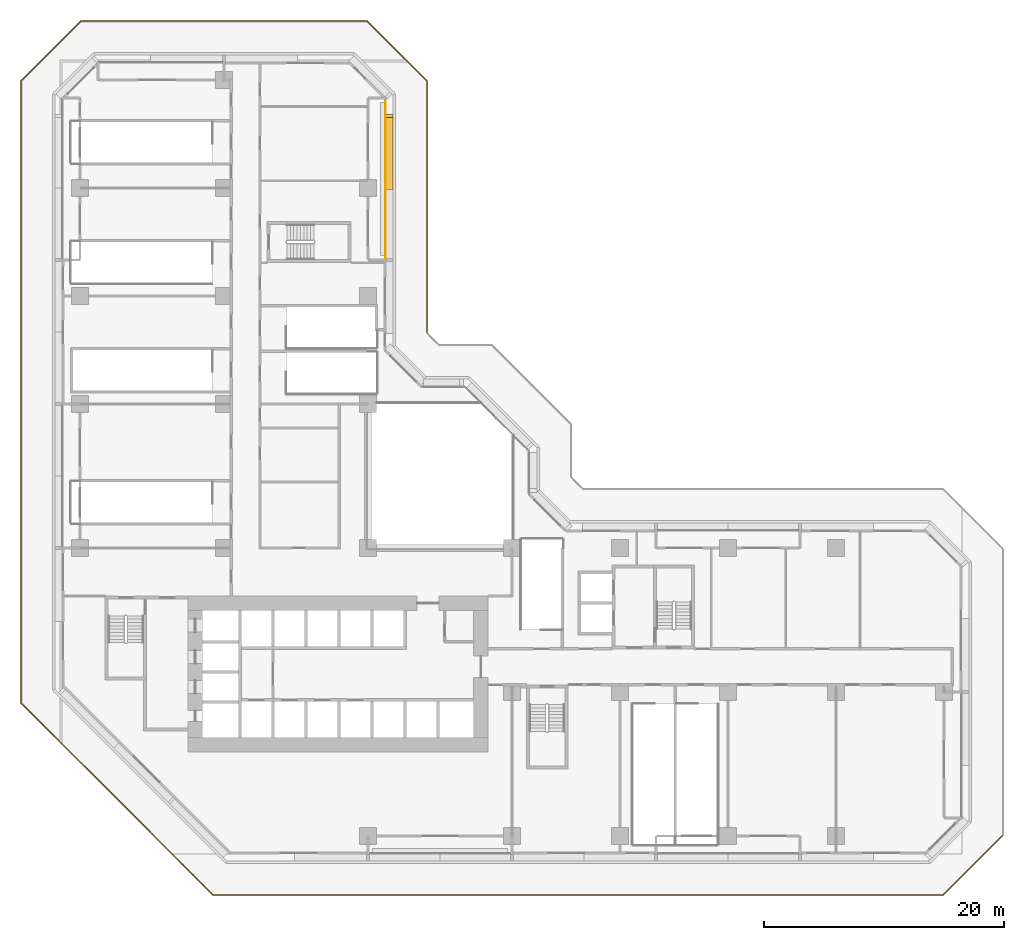
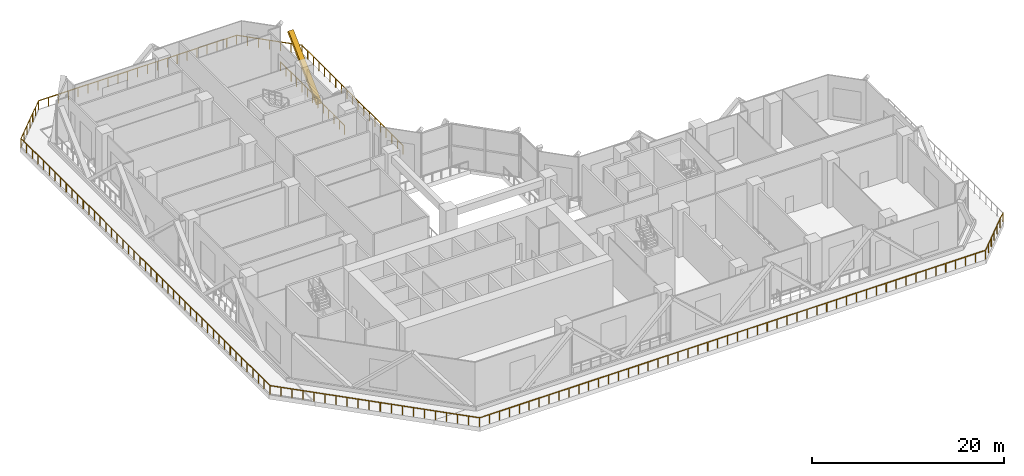
# One storey, part 15 of 16: 2 railings, 1 covering.
"""IFC4 building model written with IfcOpenShell, lengths in metres."""

from ifc_helpers import new_model, si_unit, direction, frame, origin, origin_2d, place, context, subcontext, project, spatial, rectangle, extrude, material, material_profile, profile_set, type_object, element, save


model = new_model("IFC4")

# Units and contexts
model_context = context("Model", 3, precision=1e-05, world=origin(), true_north=direction((0.0, 1.0)))
body_context = subcontext(model_context, "Body", "Model", "MODEL_VIEW")
ifc_project = project(units=[si_unit("LENGTHUNIT", "METRE"), si_unit("AREAUNIT", "SQUARE_METRE"), si_unit("VOLUMEUNIT", "CUBIC_METRE"), si_unit("PLANEANGLEUNIT", "RADIAN"), si_unit("MASSUNIT", "GRAM", prefix="KILO")], contexts=[model_context])

# Site, building, storey
site_placement = place(None, origin())
site = spatial("IfcSite", under=ifc_project, at=site_placement, CompositionType="ELEMENT")
building_placement = place(site_placement, origin())
building = spatial("IfcBuilding", under=site, at=building_placement, Name="Chenar Terraces", CompositionType="ELEMENT")
storey_placement = place(building_placement, frame((0.0, 0.0, 35.39990234375)))
storey = spatial("IfcBuildingStorey", under=building, at=storey_placement, Name="L06", CompositionType="ELEMENT", Elevation=35.39990234375)

# Railings
ifc_material_1 = material(Name="Stainless steel and glass", Category="steel")
railing_type_1 = type_object("IfcRailingType", Name="Loggia guard 1150", PredefinedType="GUARDRAIL", material=ifc_material_1)
railing_1_placement = place(storey_placement, frame((25.449951171875, 48.074951171875, 0.0)))
element("IfcRailing", 1, at=railing_1_placement, inside=storey, type_object=railing_type_1, Name="Loggia guard", PredefinedType="GUARDRAIL", context=body_context, shape_type="SweptSolid", body=[
    extrude(rectangle(XDim=0.048095703125, YDim=0.048095703125, at=origin_2d()), frame((0.0, 0.0, 1.1259765625), z_axis=(0.0, 1.0, 0.0), x_axis=(-1.0, 0.0, 0.0)), (0.0, 0.0, 1.0), 13.35009765625),
    extrude(rectangle(XDim=0.0419921875, YDim=0.0419921875, at=origin_2d()), origin(), (0.0, 0.0, 1.0), 1.101806640625),
    extrude(rectangle(XDim=0.0419921875, YDim=0.0419921875, at=origin_2d()), frame((0.0, 1.112548828125, 0.0)), (0.0, 0.0, 1.0), 1.101806640625),
    extrude(rectangle(XDim=0.0419921875, YDim=0.0419921875, at=origin_2d()), frame((0.0, 2.22509765625, 0.0)), (0.0, 0.0, 1.0), 1.101806640625),
    extrude(rectangle(XDim=0.0419921875, YDim=0.0419921875, at=origin_2d()), frame((0.0, 3.33740234375, 0.0)), (0.0, 0.0, 1.0), 1.101806640625),
    extrude(rectangle(XDim=0.0419921875, YDim=0.0419921875, at=origin_2d()), frame((0.0, 4.449951171875, 0.0)), (0.0, 0.0, 1.0), 1.101806640625),
    extrude(rectangle(XDim=0.0419921875, YDim=0.0419921875, at=origin_2d()), frame((0.0, 5.5625, 0.0)), (0.0, 0.0, 1.0), 1.101806640625),
    extrude(rectangle(XDim=0.0419921875, YDim=0.0419921875, at=origin_2d()), frame((0.0, 6.675048828125, 0.0)), (0.0, 0.0, 1.0), 1.101806640625),
    extrude(rectangle(XDim=0.0419921875, YDim=0.0419921875, at=origin_2d()), frame((0.0, 7.78759765625, 0.0)), (0.0, 0.0, 1.0), 1.101806640625),
    extrude(rectangle(XDim=0.0419921875, YDim=0.0419921875, at=origin_2d()), frame((0.0, 8.900146484375, 0.0)), (0.0, 0.0, 1.0), 1.101806640625),
    extrude(rectangle(XDim=0.0419921875, YDim=0.0419921875, at=origin_2d()), frame((0.0, 10.0126953125, 0.0)), (0.0, 0.0, 1.0), 1.101806640625),
    extrude(rectangle(XDim=0.0419921875, YDim=0.0419921875, at=origin_2d()), frame((0.0, 11.125, 0.0)), (0.0, 0.0, 1.0), 1.101806640625),
    extrude(rectangle(XDim=0.0419921875, YDim=0.0419921875, at=origin_2d()), frame((0.0, 12.237548828125, 0.0)), (0.0, 0.0, 1.0), 1.101806640625),
    extrude(rectangle(XDim=0.0419921875, YDim=0.0419921875, at=origin_2d()), frame((0.0, 13.35009765625, 0.0)), (0.0, 0.0, 1.0), 1.101806640625),
])
ifc_material_2 = material(Name="Stainless steel and glass", Category="steel")
railing_type_2 = type_object("IfcRailingType", Name="Terrace guard 1150", PredefinedType="GUARDRAIL", material=ifc_material_2)
railing_2_placement = place(storey_placement, frame((76.89990234375, 0.091552734375, 0.0)))
element("IfcRailing", 2, at=railing_2_placement, inside=storey, type_object=railing_type_2, Name="Terrace guard", PredefinedType="GUARDRAIL", context=body_context, shape_type="SweptSolid", body=[
    extrude(rectangle(XDim=0.048095703125, YDim=0.048095703125, at=origin_2d()), frame((0.0, 0.0, 1.1259765625), z_axis=(-0.707106781187, -0.707106781187, 0.0), x_axis=(0.707106781187, -0.707106781187, 0.0)), (0.0, 0.0, 1.0), 7.05908203125),
    extrude(rectangle(XDim=0.048095703125, YDim=0.048095703125, at=origin_2d()), frame((-4.991455078125, -4.991455078125, 1.1259765625), z_axis=(-1.0, 0.0, 0.0), x_axis=(0.0, -1.0, 0.0)), (0.0, 0.0, 1.0), 60.81689453125),
    extrude(rectangle(XDim=0.048095703125, YDim=0.048095703125, at=origin_2d()), frame((-65.808349609375, -4.991455078125, 1.1259765625), z_axis=(-0.707106781187, 0.707106781187, 0.0), x_axis=(-0.707106781187, -0.707106781187, 0.0)), (0.0, 0.0, 1.0), 22.615234375),
    extrude(rectangle(XDim=0.048095703125, YDim=0.048095703125, at=origin_2d()), frame((-81.7998046875, 11.0, 1.1259765625), z_axis=(0.0, 1.0, 0.0), x_axis=(-1.0, 0.0, 0.0)), (0.0, 0.0, 1.0), 51.81689453125),
    extrude(rectangle(XDim=0.048095703125, YDim=0.048095703125, at=origin_2d()), frame((-81.7998046875, 62.81689453125, 1.1259765625), z_axis=(0.707106781187, 0.707106781187, 0.0), x_axis=(-0.707106781187, 0.707106781187, 0.0)), (0.0, 0.0, 1.0), 7.05908203125),
    extrude(rectangle(XDim=0.048095703125, YDim=0.048095703125, at=origin_2d()), frame((-76.808349609375, 67.808349609375, 1.1259765625), z_axis=(1.0, 0.0, 0.0), x_axis=(0.0, 1.0, 0.0)), (0.0, 0.0, 1.0), 23.81689453125),
    extrude(rectangle(XDim=0.048095703125, YDim=0.048095703125, at=origin_2d()), frame((-52.991455078125, 67.808349609375, 1.1259765625), z_axis=(0.707106781187, -0.707106781187, 0.0), x_axis=(0.707106781187, 0.707106781187, 0.0)), (0.0, 0.0, 1.0), 7.05908203125),
    extrude(rectangle(XDim=0.048095703125, YDim=0.048095703125, at=origin_2d()), frame((-48.0, 62.81689453125, 1.1259765625), z_axis=(0.0, -1.0, 0.0), x_axis=(1.0, 0.0, 0.0)), (0.0, 0.0, 1.0), 21.0),
    extrude(rectangle(XDim=0.0419921875, YDim=0.0419921875, at=origin_2d()), origin(), (0.0, 0.0, 1.0), 1.101806640625),
    extrude(rectangle(XDim=0.0419921875, YDim=0.0419921875, at=origin_2d()), frame((-0.83203125, -0.83203125, 0.0)), (0.0, 0.0, 1.0), 1.101806640625),
    extrude(rectangle(XDim=0.0419921875, YDim=0.0419921875, at=origin_2d()), frame((-1.663818359375, -1.663818359375, 0.0)), (0.0, 0.0, 1.0), 1.101806640625),
    extrude(rectangle(XDim=0.0419921875, YDim=0.0419921875, at=origin_2d()), frame((-2.49560546875, -2.49560546875, 0.0)), (0.0, 0.0, 1.0), 1.101806640625),
    extrude(rectangle(XDim=0.0419921875, YDim=0.0419921875, at=origin_2d()), frame((-3.32763671875, -3.32763671875, 0.0)), (0.0, 0.0, 1.0), 1.101806640625),
    extrude(rectangle(XDim=0.0419921875, YDim=0.0419921875, at=origin_2d()), frame((-4.15966796875, -4.15966796875, 0.0)), (0.0, 0.0, 1.0), 1.101806640625),
    extrude(rectangle(XDim=0.0419921875, YDim=0.0419921875, at=origin_2d()), frame((-4.991455078125, -4.991455078125, 0.0)), (0.0, 0.0, 1.0), 1.101806640625),
    extrude(rectangle(XDim=0.0419921875, YDim=0.0419921875, at=origin_2d()), frame((-6.183837890625, -4.991455078125, 0.0)), (0.0, 0.0, 1.0), 1.101806640625),
    extrude(rectangle(XDim=0.0419921875, YDim=0.0419921875, at=origin_2d()), frame((-7.37646484375, -4.991455078125, 0.0)), (0.0, 0.0, 1.0), 1.101806640625),
    extrude(rectangle(XDim=0.0419921875, YDim=0.0419921875, at=origin_2d()), frame((-8.56884765625, -4.991455078125, 0.0)), (0.0, 0.0, 1.0), 1.101806640625),
    extrude(rectangle(XDim=0.0419921875, YDim=0.0419921875, at=origin_2d()), frame((-9.761474609375, -4.991455078125, 0.0)), (0.0, 0.0, 1.0), 1.101806640625),
    extrude(rectangle(XDim=0.0419921875, YDim=0.0419921875, at=origin_2d()), frame((-10.953857421875, -4.991455078125, 0.0)), (0.0, 0.0, 1.0), 1.101806640625),
    extrude(rectangle(XDim=0.0419921875, YDim=0.0419921875, at=origin_2d()), frame((-12.146484375, -4.991455078125, 0.0)), (0.0, 0.0, 1.0), 1.101806640625),
    extrude(rectangle(XDim=0.0419921875, YDim=0.0419921875, at=origin_2d()), frame((-13.3388671875, -4.991455078125, 0.0)), (0.0, 0.0, 1.0), 1.101806640625),
    extrude(rectangle(XDim=0.0419921875, YDim=0.0419921875, at=origin_2d()), frame((-14.53125, -4.991455078125, 0.0)), (0.0, 0.0, 1.0), 1.101806640625),
    extrude(rectangle(XDim=0.0419921875, YDim=0.0419921875, at=origin_2d()), frame((-15.723876953125, -4.991455078125, 0.0)), (0.0, 0.0, 1.0), 1.101806640625),
    extrude(rectangle(XDim=0.0419921875, YDim=0.0419921875, at=origin_2d()), frame((-16.916259765625, -4.991455078125, 0.0)), (0.0, 0.0, 1.0), 1.101806640625),
    extrude(rectangle(XDim=0.0419921875, YDim=0.0419921875, at=origin_2d()), frame((-18.10888671875, -4.991455078125, 0.0)), (0.0, 0.0, 1.0), 1.101806640625),
    extrude(rectangle(XDim=0.0419921875, YDim=0.0419921875, at=origin_2d()), frame((-19.30126953125, -4.991455078125, 0.0)), (0.0, 0.0, 1.0), 1.101806640625),
    extrude(rectangle(XDim=0.0419921875, YDim=0.0419921875, at=origin_2d()), frame((-20.493896484375, -4.991455078125, 0.0)), (0.0, 0.0, 1.0), 1.101806640625),
    extrude(rectangle(XDim=0.0419921875, YDim=0.0419921875, at=origin_2d()), frame((-21.686279296875, -4.991455078125, 0.0)), (0.0, 0.0, 1.0), 1.101806640625),
    extrude(rectangle(XDim=0.0419921875, YDim=0.0419921875, at=origin_2d()), frame((-22.878662109375, -4.991455078125, 0.0)), (0.0, 0.0, 1.0), 1.101806640625),
    extrude(rectangle(XDim=0.0419921875, YDim=0.0419921875, at=origin_2d()), frame((-24.0712890625, -4.991455078125, 0.0)), (0.0, 0.0, 1.0), 1.101806640625),
    extrude(rectangle(XDim=0.0419921875, YDim=0.0419921875, at=origin_2d()), frame((-25.263671875, -4.991455078125, 0.0)), (0.0, 0.0, 1.0), 1.101806640625),
    extrude(rectangle(XDim=0.0419921875, YDim=0.0419921875, at=origin_2d()), frame((-26.456298828125, -4.991455078125, 0.0)), (0.0, 0.0, 1.0), 1.101806640625),
    extrude(rectangle(XDim=0.0419921875, YDim=0.0419921875, at=origin_2d()), frame((-27.648681640625, -4.991455078125, 0.0)), (0.0, 0.0, 1.0), 1.101806640625),
    extrude(rectangle(XDim=0.0419921875, YDim=0.0419921875, at=origin_2d()), frame((-28.84130859375, -4.991455078125, 0.0)), (0.0, 0.0, 1.0), 1.101806640625),
    extrude(rectangle(XDim=0.0419921875, YDim=0.0419921875, at=origin_2d()), frame((-30.03369140625, -4.991455078125, 0.0)), (0.0, 0.0, 1.0), 1.101806640625),
    extrude(rectangle(XDim=0.0419921875, YDim=0.0419921875, at=origin_2d()), frame((-31.22607421875, -4.991455078125, 0.0)), (0.0, 0.0, 1.0), 1.101806640625),
    extrude(rectangle(XDim=0.0419921875, YDim=0.0419921875, at=origin_2d()), frame((-32.418701171875, -4.991455078125, 0.0)), (0.0, 0.0, 1.0), 1.101806640625),
    extrude(rectangle(XDim=0.0419921875, YDim=0.0419921875, at=origin_2d()), frame((-33.611083984375, -4.991455078125, 0.0)), (0.0, 0.0, 1.0), 1.101806640625),
    extrude(rectangle(XDim=0.0419921875, YDim=0.0419921875, at=origin_2d()), frame((-34.8037109375, -4.991455078125, 0.0)), (0.0, 0.0, 1.0), 1.101806640625),
    extrude(rectangle(XDim=0.0419921875, YDim=0.0419921875, at=origin_2d()), frame((-35.99609375, -4.991455078125, 0.0)), (0.0, 0.0, 1.0), 1.101806640625),
    extrude(rectangle(XDim=0.0419921875, YDim=0.0419921875, at=origin_2d()), frame((-37.188720703125, -4.991455078125, 0.0)), (0.0, 0.0, 1.0), 1.101806640625),
    extrude(rectangle(XDim=0.0419921875, YDim=0.0419921875, at=origin_2d()), frame((-38.381103515625, -4.991455078125, 0.0)), (0.0, 0.0, 1.0), 1.101806640625),
    extrude(rectangle(XDim=0.0419921875, YDim=0.0419921875, at=origin_2d()), frame((-39.57373046875, -4.991455078125, 0.0)), (0.0, 0.0, 1.0), 1.101806640625),
    extrude(rectangle(XDim=0.0419921875, YDim=0.0419921875, at=origin_2d()), frame((-40.76611328125, -4.991455078125, 0.0)), (0.0, 0.0, 1.0), 1.101806640625),
    extrude(rectangle(XDim=0.0419921875, YDim=0.0419921875, at=origin_2d()), frame((-41.95849609375, -4.991455078125, 0.0)), (0.0, 0.0, 1.0), 1.101806640625),
    extrude(rectangle(XDim=0.0419921875, YDim=0.0419921875, at=origin_2d()), frame((-43.151123046875, -4.991455078125, 0.0)), (0.0, 0.0, 1.0), 1.101806640625),
    extrude(rectangle(XDim=0.0419921875, YDim=0.0419921875, at=origin_2d()), frame((-44.343505859375, -4.991455078125, 0.0)), (0.0, 0.0, 1.0), 1.101806640625),
    extrude(rectangle(XDim=0.0419921875, YDim=0.0419921875, at=origin_2d()), frame((-45.5361328125, -4.991455078125, 0.0)), (0.0, 0.0, 1.0), 1.101806640625),
    extrude(rectangle(XDim=0.0419921875, YDim=0.0419921875, at=origin_2d()), frame((-46.728515625, -4.991455078125, 0.0)), (0.0, 0.0, 1.0), 1.101806640625),
    extrude(rectangle(XDim=0.0419921875, YDim=0.0419921875, at=origin_2d()), frame((-47.921142578125, -4.991455078125, 0.0)), (0.0, 0.0, 1.0), 1.101806640625),
    extrude(rectangle(XDim=0.0419921875, YDim=0.0419921875, at=origin_2d()), frame((-49.113525390625, -4.991455078125, 0.0)), (0.0, 0.0, 1.0), 1.101806640625),
    extrude(rectangle(XDim=0.0419921875, YDim=0.0419921875, at=origin_2d()), frame((-50.305908203125, -4.991455078125, 0.0)), (0.0, 0.0, 1.0), 1.101806640625),
    extrude(rectangle(XDim=0.0419921875, YDim=0.0419921875, at=origin_2d()), frame((-51.49853515625, -4.991455078125, 0.0)), (0.0, 0.0, 1.0), 1.101806640625),
    extrude(rectangle(XDim=0.0419921875, YDim=0.0419921875, at=origin_2d()), frame((-52.69091796875, -4.991455078125, 0.0)), (0.0, 0.0, 1.0), 1.101806640625),
    extrude(rectangle(XDim=0.0419921875, YDim=0.0419921875, at=origin_2d()), frame((-53.883544921875, -4.991455078125, 0.0)), (0.0, 0.0, 1.0), 1.101806640625),
    extrude(rectangle(XDim=0.0419921875, YDim=0.0419921875, at=origin_2d()), frame((-55.075927734375, -4.991455078125, 0.0)), (0.0, 0.0, 1.0), 1.101806640625),
    extrude(rectangle(XDim=0.0419921875, YDim=0.0419921875, at=origin_2d()), frame((-56.2685546875, -4.991455078125, 0.0)), (0.0, 0.0, 1.0), 1.101806640625),
    extrude(rectangle(XDim=0.0419921875, YDim=0.0419921875, at=origin_2d()), frame((-57.4609375, -4.991455078125, 0.0)), (0.0, 0.0, 1.0), 1.101806640625),
    extrude(rectangle(XDim=0.0419921875, YDim=0.0419921875, at=origin_2d()), frame((-58.6533203125, -4.991455078125, 0.0)), (0.0, 0.0, 1.0), 1.101806640625),
    extrude(rectangle(XDim=0.0419921875, YDim=0.0419921875, at=origin_2d()), frame((-59.845947265625, -4.991455078125, 0.0)), (0.0, 0.0, 1.0), 1.101806640625),
    extrude(rectangle(XDim=0.0419921875, YDim=0.0419921875, at=origin_2d()), frame((-61.038330078125, -4.991455078125, 0.0)), (0.0, 0.0, 1.0), 1.101806640625),
    extrude(rectangle(XDim=0.0419921875, YDim=0.0419921875, at=origin_2d()), frame((-62.23095703125, -4.991455078125, 0.0)), (0.0, 0.0, 1.0), 1.101806640625),
    extrude(rectangle(XDim=0.0419921875, YDim=0.0419921875, at=origin_2d()), frame((-63.42333984375, -4.991455078125, 0.0)), (0.0, 0.0, 1.0), 1.101806640625),
    extrude(rectangle(XDim=0.0419921875, YDim=0.0419921875, at=origin_2d()), frame((-64.615966796875, -4.991455078125, 0.0)), (0.0, 0.0, 1.0), 1.101806640625),
    extrude(rectangle(XDim=0.0419921875, YDim=0.0419921875, at=origin_2d()), frame((-65.808349609375, -4.991455078125, 0.0)), (0.0, 0.0, 1.0), 1.101806640625),
    extrude(rectangle(XDim=0.0419921875, YDim=0.0419921875, at=origin_2d()), frame((-66.64990234375, -4.14990234375, 0.0)), (0.0, 0.0, 1.0), 1.101806640625),
    extrude(rectangle(XDim=0.0419921875, YDim=0.0419921875, at=origin_2d()), frame((-67.49169921875, -3.30810546875, 0.0)), (0.0, 0.0, 1.0), 1.101806640625),
    extrude(rectangle(XDim=0.0419921875, YDim=0.0419921875, at=origin_2d()), frame((-68.333251953125, -2.466552734375, 0.0)), (0.0, 0.0, 1.0), 1.101806640625),
    extrude(rectangle(XDim=0.0419921875, YDim=0.0419921875, at=origin_2d()), frame((-69.175048828125, -1.624755859375, 0.0)), (0.0, 0.0, 1.0), 1.101806640625),
    extrude(rectangle(XDim=0.0419921875, YDim=0.0419921875, at=origin_2d()), frame((-70.0166015625, -0.783203125, 0.0)), (0.0, 0.0, 1.0), 1.101806640625),
    extrude(rectangle(XDim=0.0419921875, YDim=0.0419921875, at=origin_2d()), frame((-70.8583984375, 0.05859375, 0.0)), (0.0, 0.0, 1.0), 1.101806640625),
    extrude(rectangle(XDim=0.0419921875, YDim=0.0419921875, at=origin_2d()), frame((-71.699951171875, 0.900146484375, 0.0)), (0.0, 0.0, 1.0), 1.101806640625),
    extrude(rectangle(XDim=0.0419921875, YDim=0.0419921875, at=origin_2d()), frame((-72.54150390625, 1.74169921875, 0.0)), (0.0, 0.0, 1.0), 1.101806640625),
    extrude(rectangle(XDim=0.0419921875, YDim=0.0419921875, at=origin_2d()), frame((-73.38330078125, 2.58349609375, 0.0)), (0.0, 0.0, 1.0), 1.101806640625),
    extrude(rectangle(XDim=0.0419921875, YDim=0.0419921875, at=origin_2d()), frame((-74.224853515625, 3.425048828125, 0.0)), (0.0, 0.0, 1.0), 1.101806640625),
    extrude(rectangle(XDim=0.0419921875, YDim=0.0419921875, at=origin_2d()), frame((-75.066650390625, 4.266845703125, 0.0)), (0.0, 0.0, 1.0), 1.101806640625),
    extrude(rectangle(XDim=0.0419921875, YDim=0.0419921875, at=origin_2d()), frame((-75.908203125, 5.1083984375, 0.0)), (0.0, 0.0, 1.0), 1.101806640625),
    extrude(rectangle(XDim=0.0419921875, YDim=0.0419921875, at=origin_2d()), frame((-76.749755859375, 5.949951171875, 0.0)), (0.0, 0.0, 1.0), 1.101806640625),
    extrude(rectangle(XDim=0.0419921875, YDim=0.0419921875, at=origin_2d()), frame((-77.591552734375, 6.791748046875, 0.0)), (0.0, 0.0, 1.0), 1.101806640625),
    extrude(rectangle(XDim=0.0419921875, YDim=0.0419921875, at=origin_2d()), frame((-78.43310546875, 7.63330078125, 0.0)), (0.0, 0.0, 1.0), 1.101806640625),
    extrude(rectangle(XDim=0.0419921875, YDim=0.0419921875, at=origin_2d()), frame((-79.27490234375, 8.47509765625, 0.0)), (0.0, 0.0, 1.0), 1.101806640625),
    extrude(rectangle(XDim=0.0419921875, YDim=0.0419921875, at=origin_2d()), frame((-80.116455078125, 9.316650390625, 0.0)), (0.0, 0.0, 1.0), 1.101806640625),
    extrude(rectangle(XDim=0.0419921875, YDim=0.0419921875, at=origin_2d()), frame((-80.958251953125, 10.158447265625, 0.0)), (0.0, 0.0, 1.0), 1.101806640625),
    extrude(rectangle(XDim=0.0419921875, YDim=0.0419921875, at=origin_2d()), frame((-81.7998046875, 11.0, 0.0)), (0.0, 0.0, 1.0), 1.101806640625),
    extrude(rectangle(XDim=0.0419921875, YDim=0.0419921875, at=origin_2d()), frame((-81.7998046875, 12.177734375, 0.0)), (0.0, 0.0, 1.0), 1.101806640625),
    extrude(rectangle(XDim=0.0419921875, YDim=0.0419921875, at=origin_2d()), frame((-81.7998046875, 13.355224609375, 0.0)), (0.0, 0.0, 1.0), 1.101806640625),
    extrude(rectangle(XDim=0.0419921875, YDim=0.0419921875, at=origin_2d()), frame((-81.7998046875, 14.532958984375, 0.0)), (0.0, 0.0, 1.0), 1.101806640625),
    extrude(rectangle(XDim=0.0419921875, YDim=0.0419921875, at=origin_2d()), frame((-81.7998046875, 15.710693359375, 0.0)), (0.0, 0.0, 1.0), 1.101806640625),
    extrude(rectangle(XDim=0.0419921875, YDim=0.0419921875, at=origin_2d()), frame((-81.7998046875, 16.88818359375, 0.0)), (0.0, 0.0, 1.0), 1.101806640625),
    extrude(rectangle(XDim=0.0419921875, YDim=0.0419921875, at=origin_2d()), frame((-81.7998046875, 18.06591796875, 0.0)), (0.0, 0.0, 1.0), 1.101806640625),
    extrude(rectangle(XDim=0.0419921875, YDim=0.0419921875, at=origin_2d()), frame((-81.7998046875, 19.24365234375, 0.0)), (0.0, 0.0, 1.0), 1.101806640625),
    extrude(rectangle(XDim=0.0419921875, YDim=0.0419921875, at=origin_2d()), frame((-81.7998046875, 20.421142578125, 0.0)), (0.0, 0.0, 1.0), 1.101806640625),
    extrude(rectangle(XDim=0.0419921875, YDim=0.0419921875, at=origin_2d()), frame((-81.7998046875, 21.598876953125, 0.0)), (0.0, 0.0, 1.0), 1.101806640625),
    extrude(rectangle(XDim=0.0419921875, YDim=0.0419921875, at=origin_2d()), frame((-81.7998046875, 22.776611328125, 0.0)), (0.0, 0.0, 1.0), 1.101806640625),
    extrude(rectangle(XDim=0.0419921875, YDim=0.0419921875, at=origin_2d()), frame((-81.7998046875, 23.9541015625, 0.0)), (0.0, 0.0, 1.0), 1.101806640625),
    extrude(rectangle(XDim=0.0419921875, YDim=0.0419921875, at=origin_2d()), frame((-81.7998046875, 25.1318359375, 0.0)), (0.0, 0.0, 1.0), 1.101806640625),
    extrude(rectangle(XDim=0.0419921875, YDim=0.0419921875, at=origin_2d()), frame((-81.7998046875, 26.3095703125, 0.0)), (0.0, 0.0, 1.0), 1.101806640625),
    extrude(rectangle(XDim=0.0419921875, YDim=0.0419921875, at=origin_2d()), frame((-81.7998046875, 27.4873046875, 0.0)), (0.0, 0.0, 1.0), 1.101806640625),
    extrude(rectangle(XDim=0.0419921875, YDim=0.0419921875, at=origin_2d()), frame((-81.7998046875, 28.664794921875, 0.0)), (0.0, 0.0, 1.0), 1.101806640625),
    extrude(rectangle(XDim=0.0419921875, YDim=0.0419921875, at=origin_2d()), frame((-81.7998046875, 29.842529296875, 0.0)), (0.0, 0.0, 1.0), 1.101806640625),
    extrude(rectangle(XDim=0.0419921875, YDim=0.0419921875, at=origin_2d()), frame((-81.7998046875, 31.020263671875, 0.0)), (0.0, 0.0, 1.0), 1.101806640625),
    extrude(rectangle(XDim=0.0419921875, YDim=0.0419921875, at=origin_2d()), frame((-81.7998046875, 32.19775390625, 0.0)), (0.0, 0.0, 1.0), 1.101806640625),
    extrude(rectangle(XDim=0.0419921875, YDim=0.0419921875, at=origin_2d()), frame((-81.7998046875, 33.37548828125, 0.0)), (0.0, 0.0, 1.0), 1.101806640625),
    extrude(rectangle(XDim=0.0419921875, YDim=0.0419921875, at=origin_2d()), frame((-81.7998046875, 34.55322265625, 0.0)), (0.0, 0.0, 1.0), 1.101806640625),
    extrude(rectangle(XDim=0.0419921875, YDim=0.0419921875, at=origin_2d()), frame((-81.7998046875, 35.730712890625, 0.0)), (0.0, 0.0, 1.0), 1.101806640625),
    extrude(rectangle(XDim=0.0419921875, YDim=0.0419921875, at=origin_2d()), frame((-81.7998046875, 36.908447265625, 0.0)), (0.0, 0.0, 1.0), 1.101806640625),
    extrude(rectangle(XDim=0.0419921875, YDim=0.0419921875, at=origin_2d()), frame((-81.7998046875, 38.086181640625, 0.0)), (0.0, 0.0, 1.0), 1.101806640625),
    extrude(rectangle(XDim=0.0419921875, YDim=0.0419921875, at=origin_2d()), frame((-81.7998046875, 39.263671875, 0.0)), (0.0, 0.0, 1.0), 1.101806640625),
    extrude(rectangle(XDim=0.0419921875, YDim=0.0419921875, at=origin_2d()), frame((-81.7998046875, 40.44140625, 0.0)), (0.0, 0.0, 1.0), 1.101806640625),
    extrude(rectangle(XDim=0.0419921875, YDim=0.0419921875, at=origin_2d()), frame((-81.7998046875, 41.619140625, 0.0)), (0.0, 0.0, 1.0), 1.101806640625),
    extrude(rectangle(XDim=0.0419921875, YDim=0.0419921875, at=origin_2d()), frame((-81.7998046875, 42.796630859375, 0.0)), (0.0, 0.0, 1.0), 1.101806640625),
    extrude(rectangle(XDim=0.0419921875, YDim=0.0419921875, at=origin_2d()), frame((-81.7998046875, 43.974365234375, 0.0)), (0.0, 0.0, 1.0), 1.101806640625),
    extrude(rectangle(XDim=0.0419921875, YDim=0.0419921875, at=origin_2d()), frame((-81.7998046875, 45.152099609375, 0.0)), (0.0, 0.0, 1.0), 1.101806640625),
    extrude(rectangle(XDim=0.0419921875, YDim=0.0419921875, at=origin_2d()), frame((-81.7998046875, 46.32958984375, 0.0)), (0.0, 0.0, 1.0), 1.101806640625),
    extrude(rectangle(XDim=0.0419921875, YDim=0.0419921875, at=origin_2d()), frame((-81.7998046875, 47.50732421875, 0.0)), (0.0, 0.0, 1.0), 1.101806640625),
    extrude(rectangle(XDim=0.0419921875, YDim=0.0419921875, at=origin_2d()), frame((-81.7998046875, 48.68505859375, 0.0)), (0.0, 0.0, 1.0), 1.101806640625),
    extrude(rectangle(XDim=0.0419921875, YDim=0.0419921875, at=origin_2d()), frame((-81.7998046875, 49.86279296875, 0.0)), (0.0, 0.0, 1.0), 1.101806640625),
    extrude(rectangle(XDim=0.0419921875, YDim=0.0419921875, at=origin_2d()), frame((-81.7998046875, 51.040283203125, 0.0)), (0.0, 0.0, 1.0), 1.101806640625),
    extrude(rectangle(XDim=0.0419921875, YDim=0.0419921875, at=origin_2d()), frame((-81.7998046875, 52.218017578125, 0.0)), (0.0, 0.0, 1.0), 1.101806640625),
    extrude(rectangle(XDim=0.0419921875, YDim=0.0419921875, at=origin_2d()), frame((-81.7998046875, 53.395751953125, 0.0)), (0.0, 0.0, 1.0), 1.101806640625),
    extrude(rectangle(XDim=0.0419921875, YDim=0.0419921875, at=origin_2d()), frame((-81.7998046875, 54.5732421875, 0.0)), (0.0, 0.0, 1.0), 1.101806640625),
    extrude(rectangle(XDim=0.0419921875, YDim=0.0419921875, at=origin_2d()), frame((-81.7998046875, 55.7509765625, 0.0)), (0.0, 0.0, 1.0), 1.101806640625),
    extrude(rectangle(XDim=0.0419921875, YDim=0.0419921875, at=origin_2d()), frame((-81.7998046875, 56.9287109375, 0.0)), (0.0, 0.0, 1.0), 1.101806640625),
    extrude(rectangle(XDim=0.0419921875, YDim=0.0419921875, at=origin_2d()), frame((-81.7998046875, 58.106201171875, 0.0)), (0.0, 0.0, 1.0), 1.101806640625),
    extrude(rectangle(XDim=0.0419921875, YDim=0.0419921875, at=origin_2d()), frame((-81.7998046875, 59.283935546875, 0.0)), (0.0, 0.0, 1.0), 1.101806640625),
    extrude(rectangle(XDim=0.0419921875, YDim=0.0419921875, at=origin_2d()), frame((-81.7998046875, 60.461669921875, 0.0)), (0.0, 0.0, 1.0), 1.101806640625),
    extrude(rectangle(XDim=0.0419921875, YDim=0.0419921875, at=origin_2d()), frame((-81.7998046875, 61.63916015625, 0.0)), (0.0, 0.0, 1.0), 1.101806640625),
    extrude(rectangle(XDim=0.0419921875, YDim=0.0419921875, at=origin_2d()), frame((-81.7998046875, 62.81689453125, 0.0)), (0.0, 0.0, 1.0), 1.101806640625),
    extrude(rectangle(XDim=0.0419921875, YDim=0.0419921875, at=origin_2d()), frame((-80.9677734375, 63.64892578125, 0.0)), (0.0, 0.0, 1.0), 1.101806640625),
    extrude(rectangle(XDim=0.0419921875, YDim=0.0419921875, at=origin_2d()), frame((-80.135986328125, 64.480712890625, 0.0)), (0.0, 0.0, 1.0), 1.101806640625),
    extrude(rectangle(XDim=0.0419921875, YDim=0.0419921875, at=origin_2d()), frame((-79.30419921875, 65.3125, 0.0)), (0.0, 0.0, 1.0), 1.101806640625),
    extrude(rectangle(XDim=0.0419921875, YDim=0.0419921875, at=origin_2d()), frame((-78.47216796875, 66.14453125, 0.0)), (0.0, 0.0, 1.0), 1.101806640625),
    extrude(rectangle(XDim=0.0419921875, YDim=0.0419921875, at=origin_2d()), frame((-77.64013671875, 66.9765625, 0.0)), (0.0, 0.0, 1.0), 1.101806640625),
    extrude(rectangle(XDim=0.0419921875, YDim=0.0419921875, at=origin_2d()), frame((-76.808349609375, 67.808349609375, 0.0)), (0.0, 0.0, 1.0), 1.101806640625),
    extrude(rectangle(XDim=0.0419921875, YDim=0.0419921875, at=origin_2d()), frame((-75.617431640625, 67.808349609375, 0.0)), (0.0, 0.0, 1.0), 1.101806640625),
    extrude(rectangle(XDim=0.0419921875, YDim=0.0419921875, at=origin_2d()), frame((-74.4267578125, 67.808349609375, 0.0)), (0.0, 0.0, 1.0), 1.101806640625),
    extrude(rectangle(XDim=0.0419921875, YDim=0.0419921875, at=origin_2d()), frame((-73.23583984375, 67.808349609375, 0.0)), (0.0, 0.0, 1.0), 1.101806640625),
    extrude(rectangle(XDim=0.0419921875, YDim=0.0419921875, at=origin_2d()), frame((-72.044921875, 67.808349609375, 0.0)), (0.0, 0.0, 1.0), 1.101806640625),
    extrude(rectangle(XDim=0.0419921875, YDim=0.0419921875, at=origin_2d()), frame((-70.85400390625, 67.808349609375, 0.0)), (0.0, 0.0, 1.0), 1.101806640625),
    extrude(rectangle(XDim=0.0419921875, YDim=0.0419921875, at=origin_2d()), frame((-69.663330078125, 67.808349609375, 0.0)), (0.0, 0.0, 1.0), 1.101806640625),
    extrude(rectangle(XDim=0.0419921875, YDim=0.0419921875, at=origin_2d()), frame((-68.472412109375, 67.808349609375, 0.0)), (0.0, 0.0, 1.0), 1.101806640625),
    extrude(rectangle(XDim=0.0419921875, YDim=0.0419921875, at=origin_2d()), frame((-67.281494140625, 67.808349609375, 0.0)), (0.0, 0.0, 1.0), 1.101806640625),
    extrude(rectangle(XDim=0.0419921875, YDim=0.0419921875, at=origin_2d()), frame((-66.0908203125, 67.808349609375, 0.0)), (0.0, 0.0, 1.0), 1.101806640625),
    extrude(rectangle(XDim=0.0419921875, YDim=0.0419921875, at=origin_2d()), frame((-64.89990234375, 67.808349609375, 0.0)), (0.0, 0.0, 1.0), 1.101806640625),
    extrude(rectangle(XDim=0.0419921875, YDim=0.0419921875, at=origin_2d()), frame((-63.708984375, 67.808349609375, 0.0)), (0.0, 0.0, 1.0), 1.101806640625),
    extrude(rectangle(XDim=0.0419921875, YDim=0.0419921875, at=origin_2d()), frame((-62.518310546875, 67.808349609375, 0.0)), (0.0, 0.0, 1.0), 1.101806640625),
    extrude(rectangle(XDim=0.0419921875, YDim=0.0419921875, at=origin_2d()), frame((-61.327392578125, 67.808349609375, 0.0)), (0.0, 0.0, 1.0), 1.101806640625),
    extrude(rectangle(XDim=0.0419921875, YDim=0.0419921875, at=origin_2d()), frame((-60.136474609375, 67.808349609375, 0.0)), (0.0, 0.0, 1.0), 1.101806640625),
    extrude(rectangle(XDim=0.0419921875, YDim=0.0419921875, at=origin_2d()), frame((-58.94580078125, 67.808349609375, 0.0)), (0.0, 0.0, 1.0), 1.101806640625),
    extrude(rectangle(XDim=0.0419921875, YDim=0.0419921875, at=origin_2d()), frame((-57.7548828125, 67.808349609375, 0.0)), (0.0, 0.0, 1.0), 1.101806640625),
    extrude(rectangle(XDim=0.0419921875, YDim=0.0419921875, at=origin_2d()), frame((-56.56396484375, 67.808349609375, 0.0)), (0.0, 0.0, 1.0), 1.101806640625),
    extrude(rectangle(XDim=0.0419921875, YDim=0.0419921875, at=origin_2d()), frame((-55.373046875, 67.808349609375, 0.0)), (0.0, 0.0, 1.0), 1.101806640625),
    extrude(rectangle(XDim=0.0419921875, YDim=0.0419921875, at=origin_2d()), frame((-54.182373046875, 67.808349609375, 0.0)), (0.0, 0.0, 1.0), 1.101806640625),
    extrude(rectangle(XDim=0.0419921875, YDim=0.0419921875, at=origin_2d()), frame((-52.991455078125, 67.808349609375, 0.0)), (0.0, 0.0, 1.0), 1.101806640625),
    extrude(rectangle(XDim=0.0419921875, YDim=0.0419921875, at=origin_2d()), frame((-52.15966796875, 66.9765625, 0.0)), (0.0, 0.0, 1.0), 1.101806640625),
    extrude(rectangle(XDim=0.0419921875, YDim=0.0419921875, at=origin_2d()), frame((-51.32763671875, 66.14453125, 0.0)), (0.0, 0.0, 1.0), 1.101806640625),
    extrude(rectangle(XDim=0.0419921875, YDim=0.0419921875, at=origin_2d()), frame((-50.49560546875, 65.3125, 0.0)), (0.0, 0.0, 1.0), 1.101806640625),
    extrude(rectangle(XDim=0.0419921875, YDim=0.0419921875, at=origin_2d()), frame((-49.663818359375, 64.480712890625, 0.0)), (0.0, 0.0, 1.0), 1.101806640625),
    extrude(rectangle(XDim=0.0419921875, YDim=0.0419921875, at=origin_2d()), frame((-48.83203125, 63.64892578125, 0.0)), (0.0, 0.0, 1.0), 1.101806640625),
    extrude(rectangle(XDim=0.0419921875, YDim=0.0419921875, at=origin_2d()), frame((-48.0, 62.81689453125, 0.0)), (0.0, 0.0, 1.0), 1.101806640625),
    extrude(rectangle(XDim=0.0419921875, YDim=0.0419921875, at=origin_2d()), frame((-48.0, 61.650146484375, 0.0)), (0.0, 0.0, 1.0), 1.101806640625),
    extrude(rectangle(XDim=0.0419921875, YDim=0.0419921875, at=origin_2d()), frame((-48.0, 60.483642578125, 0.0)), (0.0, 0.0, 1.0), 1.101806640625),
    extrude(rectangle(XDim=0.0419921875, YDim=0.0419921875, at=origin_2d()), frame((-48.0, 59.31689453125, 0.0)), (0.0, 0.0, 1.0), 1.101806640625),
    extrude(rectangle(XDim=0.0419921875, YDim=0.0419921875, at=origin_2d()), frame((-48.0, 58.150146484375, 0.0)), (0.0, 0.0, 1.0), 1.101806640625),
    extrude(rectangle(XDim=0.0419921875, YDim=0.0419921875, at=origin_2d()), frame((-48.0, 56.983642578125, 0.0)), (0.0, 0.0, 1.0), 1.101806640625),
    extrude(rectangle(XDim=0.0419921875, YDim=0.0419921875, at=origin_2d()), frame((-48.0, 55.81689453125, 0.0)), (0.0, 0.0, 1.0), 1.101806640625),
    extrude(rectangle(XDim=0.0419921875, YDim=0.0419921875, at=origin_2d()), frame((-48.0, 54.650146484375, 0.0)), (0.0, 0.0, 1.0), 1.101806640625),
    extrude(rectangle(XDim=0.0419921875, YDim=0.0419921875, at=origin_2d()), frame((-48.0, 53.483642578125, 0.0)), (0.0, 0.0, 1.0), 1.101806640625),
    extrude(rectangle(XDim=0.0419921875, YDim=0.0419921875, at=origin_2d()), frame((-48.0, 52.31689453125, 0.0)), (0.0, 0.0, 1.0), 1.101806640625),
    extrude(rectangle(XDim=0.0419921875, YDim=0.0419921875, at=origin_2d()), frame((-48.0, 51.150146484375, 0.0)), (0.0, 0.0, 1.0), 1.101806640625),
    extrude(rectangle(XDim=0.0419921875, YDim=0.0419921875, at=origin_2d()), frame((-48.0, 49.983642578125, 0.0)), (0.0, 0.0, 1.0), 1.101806640625),
    extrude(rectangle(XDim=0.0419921875, YDim=0.0419921875, at=origin_2d()), frame((-48.0, 48.81689453125, 0.0)), (0.0, 0.0, 1.0), 1.101806640625),
    extrude(rectangle(XDim=0.0419921875, YDim=0.0419921875, at=origin_2d()), frame((-48.0, 47.650146484375, 0.0)), (0.0, 0.0, 1.0), 1.101806640625),
    extrude(rectangle(XDim=0.0419921875, YDim=0.0419921875, at=origin_2d()), frame((-48.0, 46.483642578125, 0.0)), (0.0, 0.0, 1.0), 1.101806640625),
    extrude(rectangle(XDim=0.0419921875, YDim=0.0419921875, at=origin_2d()), frame((-48.0, 45.31689453125, 0.0)), (0.0, 0.0, 1.0), 1.101806640625),
    extrude(rectangle(XDim=0.0419921875, YDim=0.0419921875, at=origin_2d()), frame((-48.0, 44.150146484375, 0.0)), (0.0, 0.0, 1.0), 1.101806640625),
    extrude(rectangle(XDim=0.0419921875, YDim=0.0419921875, at=origin_2d()), frame((-48.0, 42.983642578125, 0.0)), (0.0, 0.0, 1.0), 1.101806640625),
    extrude(rectangle(XDim=0.0419921875, YDim=0.0419921875, at=origin_2d()), frame((-48.0, 41.81689453125, 0.0)), (0.0, 0.0, 1.0), 1.101806640625),
])

# Covering
ifc_material_3 = material(Name="Terracotta", Category="masonry")
ifc_material_profile = material_profile(ifc_material_3, rectangle(XDim=0.60009765625, YDim=0.35009765625, at=origin_2d()), Name="Terracotta baguette 600 x 350")
ifc_profile_set = profile_set([ifc_material_profile], Name="Terracotta")
covering_type = type_object("IfcCoveringType", Name="Terracotta baguette 600 x 350", PredefinedType="CLADDING", material=ifc_profile_set)
covering_placement = place(storey_placement, frame((25.800048828125, 54.0, 0.150146484375), z_axis=(0.0, 0.725002379753, 0.688746360681), x_axis=(-1.0, 0.0, 0.0)))
element("IfcCovering", 3, at=covering_placement, inside=storey, type_object=covering_type, Name="Terracotta baguette", PredefinedType="CLADDING", context=body_context, shape_type="SweptSolid", body=[
    extrude(rectangle(XDim=0.60009765625, YDim=0.35009765625, at=origin_2d()), origin(), (0.0, 0.0, 1.0), 8.27587890625),
])

save(model, "model.ifc")
